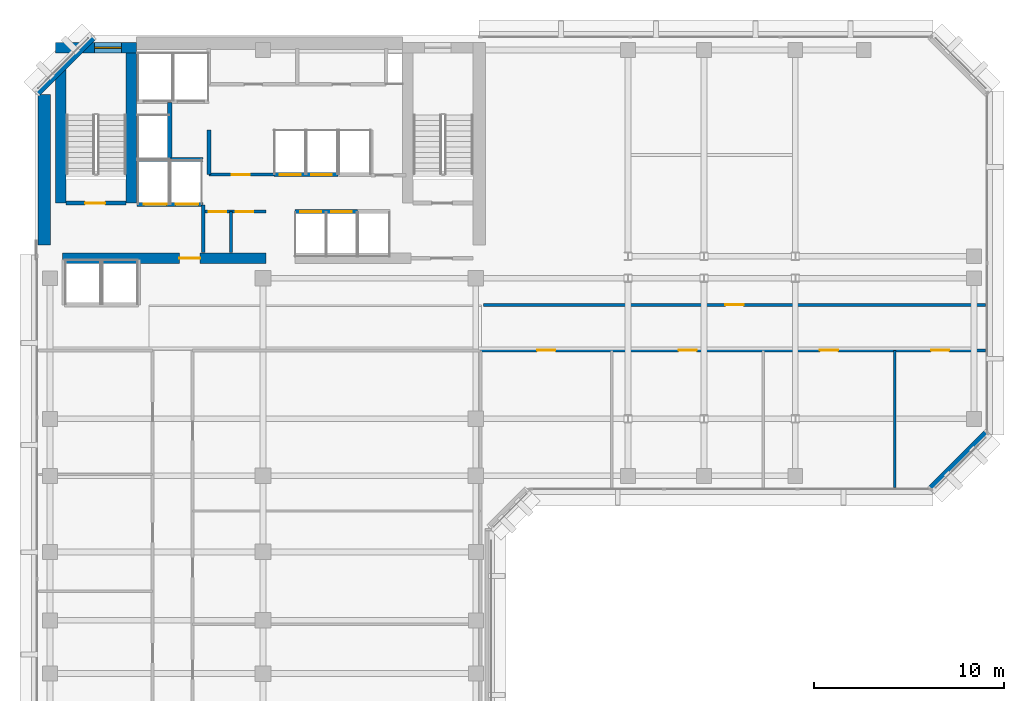
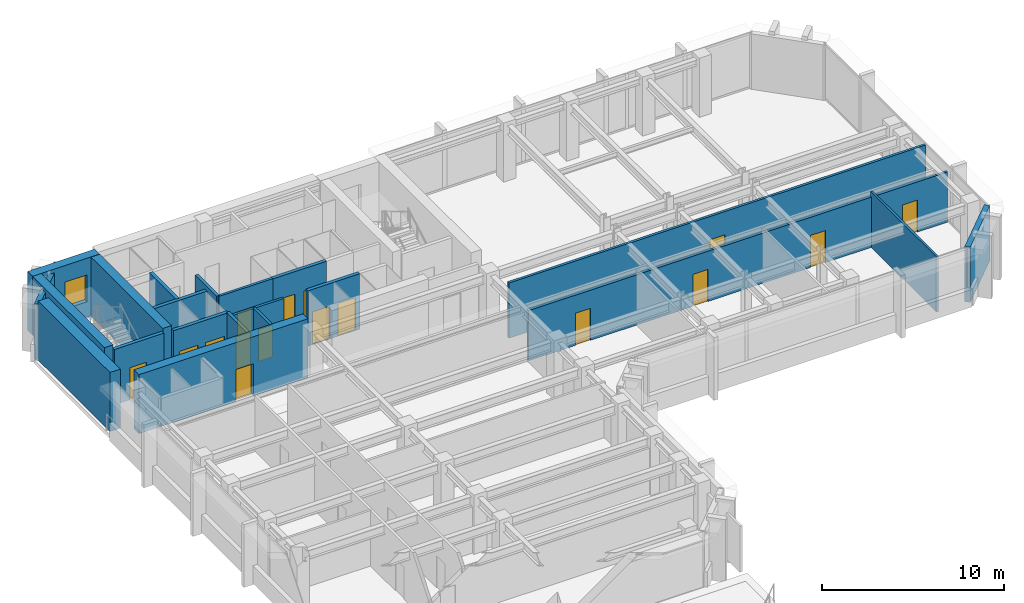
# One storey, part 7 of 11: 21 walls, 16 doors, 1 window, 17 openings.
"""IFC4 building model written with IfcOpenShell, lengths in metres."""

from ifc_helpers import new_model, si_unit, direction, frame, frame_2d, origin, place, context, subcontext, project, spatial, rectangle, extrude, material, layer, layer_set, type_object, element, fill, save


model = new_model("IFC4")

# Units and contexts
model_context = context("Model", 3, precision=1e-05, world=origin(), true_north=direction((0.0, 1.0)))
body_context = subcontext(model_context, "Body", "Model", "MODEL_VIEW")
ifc_project = project(units=[si_unit("LENGTHUNIT", "METRE"), si_unit("AREAUNIT", "SQUARE_METRE"), si_unit("VOLUMEUNIT", "CUBIC_METRE"), si_unit("PLANEANGLEUNIT", "RADIAN"), si_unit("MASSUNIT", "GRAM", prefix="KILO")], contexts=[model_context])

# Site, building, storey
site_placement = place(None, origin())
site = spatial("IfcSite", under=ifc_project, at=site_placement, CompositionType="ELEMENT")
building_placement = place(site_placement, origin())
building = spatial("IfcBuilding", under=site, at=building_placement, Name="Kefirva Bronze Tower", CompositionType="ELEMENT")
storey_placement = place(building_placement, frame((0.0, 0.0, 191.39990234375)))
storey = spatial("IfcBuildingStorey", under=building, at=storey_placement, Name="L46", CompositionType="ELEMENT", Elevation=191.39990234375)

# Wall
ifc_material_1 = material(Name="Gypsum acoustic partition")
ifc_layer_1 = layer(ifc_material_1, 0.1298828125, Name="Gypsum acoustic partition")
ifc_layer_set_1 = layer_set([ifc_layer_1], Name="Gypsum acoustic partition")
wall_type_1 = type_object("IfcWallType", Name="Acoustic Office Partition 130mm", PredefinedType="PARTITIONING", material=ifc_layer_set_1)
wall_1_placement = place(storey_placement, frame((45.229248046875, 22.18994140625, 0.0), z_axis=(0.0, 0.0, 1.0), x_axis=(0.0, 1.0, 0.0)))
element("IfcWall", 1, at=wall_1_placement, inside=storey, type_object=wall_type_1, Name="L46 Partition W-L46-ESD3", PredefinedType="PARTITIONING", context=body_context, shape_type="SweptSolid", body=[
    extrude(rectangle(XDim=7.2099609375, YDim=0.1298828125, at=frame_2d((3.60498046875, 0.0))), origin(), (0.0, 0.0, 1.0), 3.710205078125),
])

# Wall, opening, door
ifc_material_2 = material(Name="Gypsum fireboard shaftwall")
ifc_layer_2 = layer(ifc_material_2, 0.219970703125, Name="Gypsum fireboard shaftwall")
ifc_layer_set_2 = layer_set([ifc_layer_2], Name="Gypsum fireboard shaftwall")
wall_type_2 = type_object("IfcWallType", Name="Fire-Rated Shaft Enclosure Wall 220mm", PredefinedType="PARTITIONING", material=ifc_layer_set_2)
wall_2_placement = place(storey_placement, frame((1.64990234375, 37.14990234375, 0.0), z_axis=(0.0, 0.0, 1.0), x_axis=(1.0, 0.0, 0.0)))
wall_2 = element("IfcWall", 2, at=wall_2_placement, inside=storey, type_object=wall_type_2, Name="L46 Partition W-L46-ST1S", PredefinedType="PARTITIONING", context=body_context, shape_type="SweptSolid", body=[
    extrude(rectangle(XDim=3.150146484375, YDim=0.219970703125, at=frame_2d((1.5751953125, 0.0))), origin(), (0.0, 0.0, 1.0), 3.710205078125),
])
opening_1_placement = place(wall_2_placement, frame((2.050048828125, 0.0, 0.0), z_axis=(0.0, 0.0, 1.0), x_axis=(-1.0, 0.0, 0.0)))
opening_1 = element("IfcOpeningElement", 3, at=opening_1_placement, cuts=wall_2, Name="Opening L46-D001", PredefinedType="OPENING", context=body_context, shape_type="SweptSolid", body=[
    extrude(rectangle(XDim=1.050048828125, YDim=2.14990234375, at=frame_2d((0.52490234375, 1.074951171875))), frame((0.0, 0.1201171875, 0.0), z_axis=(0.0, -1.0, 0.0), x_axis=(1.0, 0.0, 0.0)), (0.0, 0.0, 1.0), 0.239990234375),
])
ifc_material_3 = material(Name="Painted galvanized steel", Category="steel")
door_type_1 = type_object("IfcDoorType", Name="Fire Stair Enclosure Door 1050x2150 FD90S", OperationType="NOTDEFINED", PredefinedType="DOOR", material=ifc_material_3)
door_1_placement = place(opening_1_placement, origin())
door_1 = element("IfcDoor", 4, at=door_1_placement, inside=storey, type_object=door_type_1, Name="Door L46-D001", OperationType="SINGLE_SWING_RIGHT", OverallHeight=2.14990234375, OverallWidth=1.050048828125, PredefinedType="DOOR", context=body_context, shape_type="SweptSolid", body=[
    extrude(rectangle(XDim=1.050048828125, YDim=2.14990234375, at=frame_2d((0.52490234375, 1.074951171875))), frame((0.0, 0.02490234375, 0.0), z_axis=(0.0, -1.0, 0.0), x_axis=(1.0, 0.0, 0.0)), (0.0, 0.0, 1.0), 0.050048828125),
])
fill(opening_1, door_1)

# Wall, openings, doors
wall_3_placement = place(storey_placement, frame((5.3798828125, 37.080078125, 0.0), z_axis=(0.0, 0.0, 1.0), x_axis=(1.0, 0.0, 0.0)))
wall_3 = element("IfcWall", 5, at=wall_3_placement, inside=storey, type_object=wall_type_2, Name="L46 Partition W-L46-FFS", PredefinedType="PARTITIONING", context=body_context, shape_type="SweptSolid", body=[
    extrude(rectangle(XDim=3.460205078125, YDim=0.219970703125, at=frame_2d((1.72998046875, 0.0))), origin(), (0.0, 0.0, 1.0), 3.710205078125),
])
opening_2_placement = place(wall_3_placement, frame((1.550048828125, 0.0, 0.0), z_axis=(0.0, 0.0, 1.0), x_axis=(-1.0, 0.0, 0.0)))
opening_2 = element("IfcOpeningElement", 6, at=opening_2_placement, cuts=wall_3, Name="Opening L46-LD-FF1", PredefinedType="OPENING", context=body_context, shape_type="SweptSolid", body=[
    extrude(rectangle(XDim=1.199951171875, YDim=2.199951171875, at=frame_2d((0.60009765625, 1.10009765625))), frame((0.0, 0.1201171875, 0.0), z_axis=(0.0, -1.0, 0.0), x_axis=(1.0, 0.0, 0.0)), (0.0, 0.0, 1.0), 0.239990234375),
])
opening_3_placement = place(wall_3_placement, frame((3.219970703125, 0.0, 0.0), z_axis=(0.0, 0.0, 1.0), x_axis=(-1.0, 0.0, 0.0)))
opening_3 = element("IfcOpeningElement", 7, at=opening_3_placement, cuts=wall_3, Name="Opening L46-LD-FF2", PredefinedType="OPENING", context=body_context, shape_type="SweptSolid", body=[
    extrude(rectangle(XDim=1.199951171875, YDim=2.199951171875, at=frame_2d((0.60009765625, 1.10009765625))), frame((0.0, 0.1201171875, 0.0), z_axis=(0.0, -1.0, 0.0), x_axis=(1.0, 0.0, 0.0)), (0.0, 0.0, 1.0), 0.239990234375),
])
ifc_material_4 = material(Name="Stainless steel 316", Category="steel")
door_type_2 = type_object("IfcDoorType", Name="Firefighting Lift Sliding Door 1200x2200", OperationType="SLIDING_TO_RIGHT", PredefinedType="DOOR", material=ifc_material_4)
door_2_placement = place(opening_2_placement, origin())
door_2 = element("IfcDoor", 8, at=door_2_placement, inside=storey, type_object=door_type_2, Name="Door L46-LD-FF1", OperationType="SLIDING_TO_RIGHT", OverallHeight=2.199951171875, OverallWidth=1.199951171875, PredefinedType="DOOR", context=body_context, shape_type="SweptSolid", body=[
    extrude(rectangle(XDim=1.199951171875, YDim=2.199951171875, at=frame_2d((0.60009765625, 1.10009765625))), frame((0.0, 0.02490234375, 0.0), z_axis=(0.0, -1.0, 0.0), x_axis=(1.0, 0.0, 0.0)), (0.0, 0.0, 1.0), 0.050048828125),
])
fill(opening_2, door_2)
door_3_placement = place(opening_3_placement, origin())
door_3 = element("IfcDoor", 9, at=door_3_placement, inside=storey, type_object=door_type_2, Name="Door L46-LD-FF2", OperationType="SLIDING_TO_RIGHT", OverallHeight=2.199951171875, OverallWidth=1.199951171875, PredefinedType="DOOR", context=body_context, shape_type="SweptSolid", body=[
    extrude(rectangle(XDim=1.199951171875, YDim=2.199951171875, at=frame_2d((0.60009765625, 1.10009765625))), frame((0.0, 0.02490234375, 0.0), z_axis=(0.0, -1.0, 0.0), x_axis=(1.0, 0.0, 0.0)), (0.0, 0.0, 1.0), 0.050048828125),
])
fill(opening_3, door_3)

# Walls
wall_4_placement = place(storey_placement, frame((5.3798828125, 39.449951171875, 0.0), z_axis=(0.0, 0.0, 1.0), x_axis=(1.0, 0.0, 0.0)))
element("IfcWall", 10, at=wall_4_placement, inside=storey, type_object=wall_type_2, Name="L46 Partition W-L46-FFN", PredefinedType="PARTITIONING", context=body_context, shape_type="SweptSolid", body=[
    extrude(rectangle(XDim=3.460205078125, YDim=0.219970703125, at=frame_2d((1.72998046875, 0.0))), origin(), (0.0, 0.0, 1.0), 3.710205078125),
])
wall_5_placement = place(storey_placement, frame((7.10009765625, 39.52001953125, 0.0), z_axis=(0.0, 0.0, 1.0), x_axis=(0.0, 1.0, 0.0)))
element("IfcWall", 11, at=wall_5_placement, inside=storey, type_object=wall_type_2, Name="L46 Partition W-L46-HP3E", PredefinedType="PARTITIONING", context=body_context, shape_type="SweptSolid", body=[
    extrude(rectangle(XDim=2.929931640625, YDim=0.219970703125, at=frame_2d((1.46484375, 0.0))), origin(), (0.0, 0.0, 1.0), 3.710205078125),
])
wall_6_placement = place(storey_placement, frame((9.159912109375, 38.64990234375, 0.0), z_axis=(0.0, 0.0, 1.0), x_axis=(0.0, 1.0, 0.0)))
element("IfcWall", 12, at=wall_6_placement, inside=storey, type_object=wall_type_2, Name="L46 Partition W-L46-LP3W", PredefinedType="PARTITIONING", context=body_context, shape_type="SweptSolid", body=[
    extrude(rectangle(XDim=2.35009765625, YDim=0.199951171875, at=frame_2d((1.175048828125, 0.0))), origin(), (0.0, 0.0, 1.0), 3.710205078125),
])

# Wall, openings, doors
wall_7_placement = place(storey_placement, frame((13.679931640625, 36.699951171875, 0.0), z_axis=(0.0, 0.0, 1.0), x_axis=(1.0, 0.0, 0.0)))
wall_7 = element("IfcWall", 13, at=wall_7_placement, inside=storey, type_object=wall_type_2, Name="L46 Partition W-L46-MPS", PredefinedType="PARTITIONING", context=body_context, shape_type="SweptSolid", body=[
    extrude(rectangle(XDim=3.280029296875, YDim=0.219970703125, at=frame_2d((1.64013671875, 0.0))), origin(), (0.0, 0.0, 1.0), 3.710205078125),
])
opening_4_placement = place(wall_7_placement, frame((0.280029296875, 0.0, 0.0)))
opening_4 = element("IfcOpeningElement", 14, at=opening_4_placement, cuts=wall_7, Name="Opening L46-LD-MP1", PredefinedType="OPENING", context=body_context, shape_type="SweptSolid", body=[
    extrude(rectangle(XDim=1.10009765625, YDim=2.199951171875, at=frame_2d((0.550048828125, 1.10009765625))), frame((0.0, 0.1201171875, 0.0), z_axis=(0.0, -1.0, 0.0), x_axis=(1.0, 0.0, 0.0)), (0.0, 0.0, 1.0), 0.239990234375),
])
opening_5_placement = place(wall_7_placement, frame((1.89990234375, 0.0, 0.0)))
opening_5 = element("IfcOpeningElement", 15, at=opening_5_placement, cuts=wall_7, Name="Opening L46-LD-MP2", PredefinedType="OPENING", context=body_context, shape_type="SweptSolid", body=[
    extrude(rectangle(XDim=1.10009765625, YDim=2.199951171875, at=frame_2d((0.550048828125, 1.10009765625))), frame((0.0, 0.1201171875, 0.0), z_axis=(0.0, -1.0, 0.0), x_axis=(1.0, 0.0, 0.0)), (0.0, 0.0, 1.0), 0.239990234375),
])
door_type_3 = type_object("IfcDoorType", Name="Passenger Lift Sliding Landing Door 1100x2200", OperationType="SLIDING_TO_LEFT", PredefinedType="DOOR", material=ifc_material_4)
door_4_placement = place(opening_4_placement, origin())
door_4 = element("IfcDoor", 16, at=door_4_placement, inside=storey, type_object=door_type_3, Name="Door L46-LD-MP1", OperationType="SLIDING_TO_RIGHT", OverallHeight=2.199951171875, OverallWidth=1.10009765625, PredefinedType="DOOR", context=body_context, shape_type="SweptSolid", body=[
    extrude(rectangle(XDim=1.10009765625, YDim=2.199951171875, at=frame_2d((0.550048828125, 1.10009765625))), frame((0.0, 0.02490234375, 0.0), z_axis=(0.0, -1.0, 0.0), x_axis=(1.0, 0.0, 0.0)), (0.0, 0.0, 1.0), 0.050048828125),
])
fill(opening_4, door_4)
door_5_placement = place(opening_5_placement, origin())
door_5 = element("IfcDoor", 17, at=door_5_placement, inside=storey, type_object=door_type_3, Name="Door L46-LD-MP2", OperationType="SLIDING_TO_RIGHT", OverallHeight=2.199951171875, OverallWidth=1.10009765625, PredefinedType="DOOR", context=body_context, shape_type="SweptSolid", body=[
    extrude(rectangle(XDim=1.10009765625, YDim=2.199951171875, at=frame_2d((0.550048828125, 1.10009765625))), frame((0.0, 0.02490234375, 0.0), z_axis=(0.0, -1.0, 0.0), x_axis=(1.0, 0.0, 0.0)), (0.0, 0.0, 1.0), 0.050048828125),
])
fill(opening_5, door_5)

wall_8_placement = place(storey_placement, frame((12.580078125, 38.64990234375, 0.0), z_axis=(0.0, 0.0, 1.0), x_axis=(1.0, 0.0, 0.0)))
wall_8 = element("IfcWall", 18, at=wall_8_placement, inside=storey, type_object=wall_type_2, Name="L46 Partition W-L46-MPN", PredefinedType="PARTITIONING", context=body_context, shape_type="SweptSolid", body=[
    extrude(rectangle(XDim=3.3798828125, YDim=0.219970703125, at=frame_2d((1.68994140625, 0.0))), origin(), (0.0, 0.0, 1.0), 3.710205078125),
])
opening_6_placement = place(wall_8_placement, frame((0.300048828125, 0.0, 0.0)))
opening_6 = element("IfcOpeningElement", 19, at=opening_6_placement, cuts=wall_8, Name="Opening L46-LD-MP3", PredefinedType="OPENING", context=body_context, shape_type="SweptSolid", body=[
    extrude(rectangle(XDim=1.10009765625, YDim=2.199951171875, at=frame_2d((0.550048828125, 1.10009765625))), frame((0.0, 0.1201171875, 0.0), z_axis=(0.0, -1.0, 0.0), x_axis=(1.0, 0.0, 0.0)), (0.0, 0.0, 1.0), 0.239990234375),
])
opening_7_placement = place(wall_8_placement, frame((1.949951171875, 0.0, 0.0)))
opening_7 = element("IfcOpeningElement", 20, at=opening_7_placement, cuts=wall_8, Name="Opening L46-LD-MP4", PredefinedType="OPENING", context=body_context, shape_type="SweptSolid", body=[
    extrude(rectangle(XDim=1.10009765625, YDim=2.199951171875, at=frame_2d((0.550048828125, 1.10009765625))), frame((0.0, 0.1201171875, 0.0), z_axis=(0.0, -1.0, 0.0), x_axis=(1.0, 0.0, 0.0)), (0.0, 0.0, 1.0), 0.239990234375),
])
door_6_placement = place(opening_6_placement, origin())
door_6 = element("IfcDoor", 21, at=door_6_placement, inside=storey, type_object=door_type_3, Name="Door L46-LD-MP3", OperationType="SLIDING_TO_RIGHT", OverallHeight=2.199951171875, OverallWidth=1.10009765625, PredefinedType="DOOR", context=body_context, shape_type="SweptSolid", body=[
    extrude(rectangle(XDim=1.10009765625, YDim=2.199951171875, at=frame_2d((0.550048828125, 1.10009765625))), frame((0.0, 0.02490234375, 0.0), z_axis=(0.0, -1.0, 0.0), x_axis=(1.0, 0.0, 0.0)), (0.0, 0.0, 1.0), 0.050048828125),
])
fill(opening_6, door_6)
door_7_placement = place(opening_7_placement, origin())
door_7 = element("IfcDoor", 22, at=door_7_placement, inside=storey, type_object=door_type_3, Name="Door L46-LD-MP4", OperationType="SLIDING_TO_RIGHT", OverallHeight=2.199951171875, OverallWidth=1.10009765625, PredefinedType="DOOR", context=body_context, shape_type="SweptSolid", body=[
    extrude(rectangle(XDim=1.10009765625, YDim=2.199951171875, at=frame_2d((0.550048828125, 1.10009765625))), frame((0.0, 0.02490234375, 0.0), z_axis=(0.0, -1.0, 0.0), x_axis=(1.0, 0.0, 0.0)), (0.0, 0.0, 1.0), 0.050048828125),
])
fill(opening_7, door_7)

# Walls
ifc_material_5 = material(Name="Gypsum fireboard barrier")
ifc_layer_3 = layer(ifc_material_5, 0.199951171875, Name="Gypsum fireboard barrier")
ifc_layer_set_3 = layer_set([ifc_layer_3], Name="Gypsum fireboard barrier")
wall_type_3 = type_object("IfcWallType", Name="Firefighting Lobby Barrier Wall 200mm", PredefinedType="PARTITIONING", material=ifc_layer_set_3)
wall_9_placement = place(storey_placement, frame((8.860107421875, 34.550048828125, 0.0), z_axis=(0.0, 0.0, 1.0), x_axis=(0.0, 1.0, 0.0)))
element("IfcWall", 23, at=wall_9_placement, inside=storey, type_object=wall_type_3, Name="L46 Partition W-L46-FFLE", PredefinedType="PARTITIONING", context=body_context, shape_type="SweptSolid", body=[
    extrude(rectangle(XDim=2.5, YDim=0.199951171875, at=frame_2d((1.25, 0.0))), origin(), (0.0, 0.0, 1.0), 3.710205078125),
])
ifc_material_6 = material(Name="Precast concrete C40/50", Category="concrete")
ifc_layer_4 = layer(ifc_material_6, 0.320068359375, Name="Precast concrete C40/50")
ifc_layer_set_4 = layer_set([ifc_layer_4], Name="Precast concrete C40/50")
wall_type_4 = type_object("IfcWallType", Name="Precast Insulated Exterior Wall 320mm", PredefinedType="SOLIDWALL", material=ifc_layer_set_4)
for number, where, z_axis, x_axis, name in (
    (24, (47.125732421875, 22.152099609375, 0.0), (0.0, 0.0, 1.0), (0.707136318428, 0.707077242712, 0.0), "L46 Exterior Facade Wall 5"),
    (25, (3.07421875, 45.847900390625, 0.0), (0.0, 0.0, 1.0), (-0.707106781187, -0.707106781187, 0.0), "L46 Exterior Facade Wall 7"),
):
    element("IfcWall", number, at=place(storey_placement, frame(where, z_axis=z_axis, x_axis=x_axis)), inside=storey, type_object=wall_type_4, Name=name, PredefinedType="SOLIDWALL", context=body_context, shape_type="SweptSolid", body=[
        extrude(rectangle(XDim=4.132568359375, YDim=0.320068359375, at=frame_2d((2.06640625, 0.0))), origin(), (0.0, 0.0, 1.0), 3.710205078125),
    ])

# Wall, openings, doors
ifc_layer_5 = layer(ifc_material_1, 0.159912109375, Name="Gypsum acoustic partition")
ifc_layer_set_5 = layer_set([ifc_layer_5], Name="Gypsum acoustic partition")
wall_type_5 = type_object("IfcWallType", Name="Protected Corridor Partition 160mm", PredefinedType="PARTITIONING", material=ifc_layer_set_5)
wall_10_placement = place(storey_placement, frame((8.89990234375, 36.699951171875, 0.0), z_axis=(0.0, 0.0, 1.0), x_axis=(1.0, 0.0, 0.0)))
wall_10 = element("IfcWall", 26, at=wall_10_placement, inside=storey, type_object=wall_type_5, Name="L46 Partition W-L46-RECLP1", PredefinedType="PARTITIONING", context=body_context, shape_type="SweptSolid", body=[
    extrude(rectangle(XDim=3.25, YDim=0.159912109375, at=frame_2d((1.625, 0.0))), origin(), (0.0, 0.0, 1.0), 3.710205078125),
])
opening_8_placement = place(wall_10_placement, frame((0.260009765625, 0.0, 0.0)))
opening_8 = element("IfcOpeningElement", 27, at=opening_8_placement, cuts=wall_10, Name="Opening L46-D-RECLP1A", PredefinedType="OPENING", context=body_context, shape_type="SweptSolid", body=[
    extrude(rectangle(XDim=0.89990234375, YDim=2.14990234375, at=frame_2d((0.449951171875, 1.074951171875))), frame((0.0, 0.08984375, 0.0), z_axis=(0.0, -1.0, 0.0), x_axis=(1.0, 0.0, 0.0)), (0.0, 0.0, 1.0), 0.179931640625),
])
opening_9_placement = place(wall_10_placement, frame((1.679931640625, 0.0, 0.0)))
opening_9 = element("IfcOpeningElement", 28, at=opening_9_placement, cuts=wall_10, Name="Opening L46-D-RECLP1B", PredefinedType="OPENING", context=body_context, shape_type="SweptSolid", body=[
    extrude(rectangle(XDim=0.89990234375, YDim=2.14990234375, at=frame_2d((0.449951171875, 1.074951171875))), frame((0.0, 0.08984375, 0.0), z_axis=(0.0, -1.0, 0.0), x_axis=(1.0, 0.0, 0.0)), (0.0, 0.0, 1.0), 0.179931640625),
])
door_type_4 = type_object("IfcDoorType", Name="Core Archive & Server Fire Door 900x2150 FD60S", OperationType="NOTDEFINED", PredefinedType="DOOR", material=ifc_material_3)
door_8_placement = place(opening_8_placement, origin())
door_8 = element("IfcDoor", 29, at=door_8_placement, inside=storey, type_object=door_type_4, Name="Door L46-D-RECLP1A", OperationType="SINGLE_SWING_LEFT", OverallHeight=2.14990234375, OverallWidth=0.89990234375, PredefinedType="DOOR", context=body_context, shape_type="SweptSolid", body=[
    extrude(rectangle(XDim=0.89990234375, YDim=2.14990234375, at=frame_2d((0.449951171875, 1.074951171875))), frame((0.0, 0.02490234375, 0.0), z_axis=(0.0, -1.0, 0.0), x_axis=(1.0, 0.0, 0.0)), (0.0, 0.0, 1.0), 0.050048828125),
])
fill(opening_8, door_8)
door_9_placement = place(opening_9_placement, origin())
door_9 = element("IfcDoor", 30, at=door_9_placement, inside=storey, type_object=door_type_4, Name="Door L46-D-RECLP1B", OperationType="SINGLE_SWING_RIGHT", OverallHeight=2.14990234375, OverallWidth=0.89990234375, PredefinedType="DOOR", context=body_context, shape_type="SweptSolid", body=[
    extrude(rectangle(XDim=0.89990234375, YDim=2.14990234375, at=frame_2d((0.449951171875, 1.074951171875))), frame((0.0, 0.02490234375, 0.0), z_axis=(0.0, -1.0, 0.0), x_axis=(1.0, 0.0, 0.0)), (0.0, 0.0, 1.0), 0.050048828125),
])
fill(opening_9, door_9)

# Wall
wall_11_placement = place(storey_placement, frame((10.320068359375, 34.550048828125, 0.0), z_axis=(0.0, 0.0, 1.0), x_axis=(0.0, 1.0, 0.0)))
element("IfcWall", 31, at=wall_11_placement, inside=storey, type_object=wall_type_5, Name="L46 Partition W-L46-RECLP1D", PredefinedType="PARTITIONING", context=body_context, shape_type="SweptSolid", body=[
    extrude(rectangle(XDim=2.14990234375, YDim=0.159912109375, at=frame_2d((1.074951171875, 0.0))), origin(), (0.0, 0.0, 1.0), 3.710205078125),
])

# Wall, opening, door
wall_12_placement = place(storey_placement, frame((9.159912109375, 38.64990234375, 0.0), z_axis=(0.0, 0.0, 1.0), x_axis=(1.0, 0.0, 0.0)))
wall_12 = element("IfcWall", 32, at=wall_12_placement, inside=storey, type_object=wall_type_5, Name="L46 Partition W-L46-RECLP2", PredefinedType="PARTITIONING", context=body_context, shape_type="SweptSolid", body=[
    extrude(rectangle(XDim=3.420166015625, YDim=0.159912109375, at=frame_2d((1.7099609375, 0.0))), origin(), (0.0, 0.0, 1.0), 3.710205078125),
])
opening_10_placement = place(wall_12_placement, frame((2.14990234375, 0.0, 0.0), z_axis=(0.0, 0.0, 1.0), x_axis=(-1.0, 0.0, 0.0)))
opening_10 = element("IfcOpeningElement", 33, at=opening_10_placement, cuts=wall_12, Name="Opening L46-D-RECLP2", PredefinedType="OPENING", context=body_context, shape_type="SweptSolid", body=[
    extrude(rectangle(XDim=0.949951171875, YDim=2.14990234375, at=frame_2d((0.47509765625, 1.074951171875))), frame((0.0, 0.08984375, 0.0), z_axis=(0.0, -1.0, 0.0), x_axis=(1.0, 0.0, 0.0)), (0.0, 0.0, 1.0), 0.179931640625),
])
ifc_material_7 = material(Name="Acoustic hardwood oak", Category="wood")
door_type_5 = type_object("IfcDoorType", Name="Office & Meeting Room Door 950x2150", OperationType="NOTDEFINED", PredefinedType="DOOR", material=ifc_material_7)
door_10_placement = place(opening_10_placement, origin())
door_10 = element("IfcDoor", 34, at=door_10_placement, inside=storey, type_object=door_type_5, Name="Door L46-D-RECLP2", OperationType="SINGLE_SWING_LEFT", OverallHeight=2.14990234375, OverallWidth=0.949951171875, PredefinedType="DOOR", context=body_context, shape_type="SweptSolid", body=[
    extrude(rectangle(XDim=0.949951171875, YDim=2.14990234375, at=frame_2d((0.47509765625, 1.074951171875))), frame((0.0, 0.02490234375, 0.0), z_axis=(0.0, -1.0, 0.0), x_axis=(1.0, 0.0, 0.0)), (0.0, 0.0, 1.0), 0.050048828125),
])
fill(opening_10, door_10)

# Wall, openings, doors
wall_13_placement = place(storey_placement, frame((23.449951171875, 29.39990234375, 0.0), z_axis=(0.0, 0.0, 1.0), x_axis=(1.0, 0.0, 0.0)))
wall_13 = element("IfcWall", 35, at=wall_13_placement, inside=storey, type_object=wall_type_5, Name="L46 Partition W-L46-EWS", PredefinedType="PARTITIONING", context=body_context, shape_type="SweptSolid", body=[
    extrude(rectangle(XDim=26.56005859375, YDim=0.159912109375, at=frame_2d((13.280029296875, 0.0))), origin(), (0.0, 0.0, 1.0), 3.364990234375),
])
opening_11_placement = place(wall_13_placement, frame((3.927734375, 0.0, 0.0), z_axis=(0.0, 0.0, 1.0), x_axis=(-1.0, 0.0, 0.0)))
opening_11 = element("IfcOpeningElement", 36, at=opening_11_placement, cuts=wall_13, Name="Opening L46-D-ES1", PredefinedType="OPENING", context=body_context, shape_type="SweptSolid", body=[
    extrude(rectangle(XDim=0.949951171875, YDim=2.14990234375, at=frame_2d((0.47509765625, 1.074951171875))), frame((0.0, 0.08984375, 0.0), z_axis=(0.0, -1.0, 0.0), x_axis=(1.0, 0.0, 0.0)), (0.0, 0.0, 1.0), 0.179931640625),
])
opening_12_placement = place(wall_13_placement, frame((11.364501953125, 0.0, 0.0), z_axis=(0.0, 0.0, 1.0), x_axis=(-1.0, 0.0, 0.0)))
opening_12 = element("IfcOpeningElement", 37, at=opening_12_placement, cuts=wall_13, Name="Opening L46-D-ES2", PredefinedType="OPENING", context=body_context, shape_type="SweptSolid", body=[
    extrude(rectangle(XDim=0.949951171875, YDim=2.14990234375, at=frame_2d((0.47509765625, 1.074951171875))), frame((0.0, 0.08984375, 0.0), z_axis=(0.0, -1.0, 0.0), x_axis=(1.0, 0.0, 0.0)), (0.0, 0.0, 1.0), 0.179931640625),
])
opening_13_placement = place(wall_13_placement, frame((18.80126953125, 0.0, 0.0), z_axis=(0.0, 0.0, 1.0), x_axis=(-1.0, 0.0, 0.0)))
opening_13 = element("IfcOpeningElement", 38, at=opening_13_placement, cuts=wall_13, Name="Opening L46-D-ES3", PredefinedType="OPENING", context=body_context, shape_type="SweptSolid", body=[
    extrude(rectangle(XDim=0.949951171875, YDim=2.14990234375, at=frame_2d((0.47509765625, 1.074951171875))), frame((0.0, 0.08984375, 0.0), z_axis=(0.0, -1.0, 0.0), x_axis=(1.0, 0.0, 0.0)), (0.0, 0.0, 1.0), 0.179931640625),
])
opening_14_placement = place(wall_13_placement, frame((24.64453125, 0.0, 0.0), z_axis=(0.0, 0.0, 1.0), x_axis=(-1.0, 0.0, 0.0)))
opening_14 = element("IfcOpeningElement", 39, at=opening_14_placement, cuts=wall_13, Name="Opening L46-D-ES4", PredefinedType="OPENING", context=body_context, shape_type="SweptSolid", body=[
    extrude(rectangle(XDim=0.949951171875, YDim=2.14990234375, at=frame_2d((0.47509765625, 1.074951171875))), frame((0.0, 0.08984375, 0.0), z_axis=(0.0, -1.0, 0.0), x_axis=(1.0, 0.0, 0.0)), (0.0, 0.0, 1.0), 0.179931640625),
])
door_11_placement = place(opening_11_placement, origin())
door_11 = element("IfcDoor", 40, at=door_11_placement, inside=storey, type_object=door_type_5, Name="Door L46-D-ES1", OperationType="SINGLE_SWING_LEFT", OverallHeight=2.14990234375, OverallWidth=0.949951171875, PredefinedType="DOOR", context=body_context, shape_type="SweptSolid", body=[
    extrude(rectangle(XDim=0.949951171875, YDim=2.14990234375, at=frame_2d((0.47509765625, 1.074951171875))), frame((0.0, 0.02490234375, 0.0), z_axis=(0.0, -1.0, 0.0), x_axis=(1.0, 0.0, 0.0)), (0.0, 0.0, 1.0), 0.050048828125),
])
fill(opening_11, door_11)
door_12_placement = place(opening_12_placement, origin())
door_12 = element("IfcDoor", 41, at=door_12_placement, inside=storey, type_object=door_type_5, Name="Door L46-D-ES2", OperationType="SINGLE_SWING_RIGHT", OverallHeight=2.14990234375, OverallWidth=0.949951171875, PredefinedType="DOOR", context=body_context, shape_type="SweptSolid", body=[
    extrude(rectangle(XDim=0.949951171875, YDim=2.14990234375, at=frame_2d((0.47509765625, 1.074951171875))), frame((0.0, 0.02490234375, 0.0), z_axis=(0.0, -1.0, 0.0), x_axis=(1.0, 0.0, 0.0)), (0.0, 0.0, 1.0), 0.050048828125),
])
fill(opening_12, door_12)
door_13_placement = place(opening_13_placement, origin())
door_13 = element("IfcDoor", 42, at=door_13_placement, inside=storey, type_object=door_type_5, Name="Door L46-D-ES3", OperationType="SINGLE_SWING_LEFT", OverallHeight=2.14990234375, OverallWidth=0.949951171875, PredefinedType="DOOR", context=body_context, shape_type="SweptSolid", body=[
    extrude(rectangle(XDim=0.949951171875, YDim=2.14990234375, at=frame_2d((0.47509765625, 1.074951171875))), frame((0.0, 0.02490234375, 0.0), z_axis=(0.0, -1.0, 0.0), x_axis=(1.0, 0.0, 0.0)), (0.0, 0.0, 1.0), 0.050048828125),
])
fill(opening_13, door_13)
door_14_placement = place(opening_14_placement, origin())
door_14 = element("IfcDoor", 43, at=door_14_placement, inside=storey, type_object=door_type_5, Name="Door L46-D-ES4", OperationType="SINGLE_SWING_RIGHT", OverallHeight=2.14990234375, OverallWidth=0.949951171875, PredefinedType="DOOR", context=body_context, shape_type="SweptSolid", body=[
    extrude(rectangle(XDim=0.949951171875, YDim=2.14990234375, at=frame_2d((0.47509765625, 1.074951171875))), frame((0.0, 0.02490234375, 0.0), z_axis=(0.0, -1.0, 0.0), x_axis=(1.0, 0.0, 0.0)), (0.0, 0.0, 1.0), 0.050048828125),
])
fill(opening_14, door_14)

# Wall, opening, door
wall_14_placement = place(storey_placement, frame((23.60009765625, 31.800048828125, 0.0), z_axis=(0.0, 0.0, 1.0), x_axis=(1.0, 0.0, 0.0)))
wall_14 = element("IfcWall", 44, at=wall_14_placement, inside=storey, type_object=wall_type_5, Name="L46 Partition W-L46-EWN", PredefinedType="PARTITIONING", context=body_context, shape_type="SweptSolid", body=[
    extrude(rectangle(XDim=26.409912109375, YDim=0.159912109375, at=frame_2d((13.205078125, 0.0))), origin(), (0.0, 0.0, 1.0), 3.710205078125),
])
opening_15_placement = place(wall_14_placement, frame((12.72998046875, 0.0, 0.0)))
opening_15 = element("IfcOpeningElement", 45, at=opening_15_placement, cuts=wall_14, Name="Opening L46-D-EN1", PredefinedType="OPENING", context=body_context, shape_type="SweptSolid", body=[
    extrude(rectangle(XDim=0.949951171875, YDim=2.14990234375, at=frame_2d((0.47509765625, 1.074951171875))), frame((0.0, 0.08984375, 0.0), z_axis=(0.0, -1.0, 0.0), x_axis=(1.0, 0.0, 0.0)), (0.0, 0.0, 1.0), 0.179931640625),
])
door_15_placement = place(opening_15_placement, origin())
door_15 = element("IfcDoor", 46, at=door_15_placement, inside=storey, type_object=door_type_5, Name="Door L46-D-EN1", OperationType="SINGLE_SWING_LEFT", OverallHeight=2.14990234375, OverallWidth=0.949951171875, PredefinedType="DOOR", context=body_context, shape_type="SweptSolid", body=[
    extrude(rectangle(XDim=0.949951171875, YDim=2.14990234375, at=frame_2d((0.47509765625, 1.074951171875))), frame((0.0, 0.02490234375, 0.0), z_axis=(0.0, -1.0, 0.0), x_axis=(1.0, 0.0, 0.0)), (0.0, 0.0, 1.0), 0.050048828125),
])
fill(opening_15, door_15)

# Wall, opening, window
ifc_material_8 = material(Name="Concrete C50/60", Category="concrete")
ifc_layer_6 = layer(ifc_material_8, 0.550048828125, Name="Concrete C50/60")
ifc_layer_set_6 = layer_set([ifc_layer_6], Name="Concrete C50/60")
wall_type_6 = type_object("IfcWallType", Name="RC Rear Core Exterior Wall 550mm", PredefinedType="SHEAR", material=ifc_layer_set_6)
wall_15_placement = place(storey_placement, frame((1.10009765625, 45.320068359375, 0.0), z_axis=(0.0, 0.0, 1.0), x_axis=(1.0, 0.0, 0.0)))
wall_15 = element("IfcWall", 47, at=wall_15_placement, inside=storey, type_object=wall_type_6, Name="L46 Stair 1 North Shear Wall", PredefinedType="SHEAR", context=body_context, shape_type="SweptSolid", body=[
    extrude(rectangle(XDim=4.239990234375, YDim=0.550048828125, at=frame_2d((2.1201171875, 0.0))), origin(), (0.0, 0.0, 1.0), 3.960205078125),
])
opening_16_placement = place(wall_15_placement, frame((2.050048828125, 0.0, 1.050048828125)))
opening_16 = element("IfcOpeningElement", 48, at=opening_16_placement, cuts=wall_15, Name="Opening WN-03", PredefinedType="OPENING", context=body_context, shape_type="SweptSolid", body=[
    extrude(rectangle(XDim=1.39990234375, YDim=1.800048828125, at=frame_2d((0.699951171875, 0.89990234375))), frame((0.0, 0.28515625, 0.0), z_axis=(0.0, -1.0, 0.0), x_axis=(1.0, 0.0, 0.0)), (0.0, 0.0, 1.0), 0.570068359375),
])
ifc_material_9 = material(Name="Laminated low-E double glazing", Category="glass")
window_type = type_object("IfcWindowType", Name="Rear-Core Stair Daylight Window 1400x1800", PartitioningType="SINGLE_PANEL", PredefinedType="WINDOW", material=ifc_material_9)
window_placement = place(opening_16_placement, origin())
window = element("IfcWindow", 49, at=window_placement, inside=storey, type_object=window_type, Name="L46 Stair 1 Daylight Window", OverallHeight=1.800048828125, OverallWidth=1.39990234375, PartitioningType="SINGLE_PANEL", PredefinedType="WINDOW", context=body_context, shape_type="SweptSolid", body=[
    extrude(rectangle(XDim=1.39990234375, YDim=1.800048828125, at=frame_2d((0.699951171875, 0.89990234375))), frame((0.0, 0.030029296875, 0.0), z_axis=(0.0, -1.0, 0.0), x_axis=(1.0, 0.0, 0.0)), (0.0, 0.0, 1.0), 0.06005859375),
])
fill(opening_16, window)

# Walls
ifc_layer_7 = layer(ifc_material_8, 0.64990234375, Name="Concrete C50/60")
ifc_layer_set_7 = layer_set([ifc_layer_7], Name="Concrete C50/60")
wall_type_7 = type_object("IfcWallType", Name="RC Rear Core Exterior Wall 650mm", PredefinedType="SHEAR", material=ifc_layer_set_7)
wall_16_placement = place(storey_placement, frame((0.5, 34.949951171875, 0.0), z_axis=(0.0, 0.0, 1.0), x_axis=(0.0, 1.0, 0.0)))
element("IfcWall", 50, at=wall_16_placement, inside=storey, type_object=wall_type_7, Name="L46 Rear Core West Shear Wall", PredefinedType="SHEAR", context=body_context, shape_type="SweptSolid", body=[
    extrude(rectangle(XDim=7.900146484375, YDim=0.64990234375, at=frame_2d((3.9501953125, 0.0))), origin(), (0.0, 0.0, 1.0), 3.960205078125),
])
ifc_layer_8 = layer(ifc_material_8, 0.550048828125, Name="Concrete C50/60")
ifc_layer_set_8 = layer_set([ifc_layer_8], Name="Concrete C50/60")
wall_type_8 = type_object("IfcWallType", Name="RC Rear Core Interior Wall 550mm", PredefinedType="SHEAR", material=ifc_layer_set_8)
for number, where, z_axis, x_axis, name in (
    (51, (1.3701171875, 37.14990234375, 0.0), (0.0, 0.0, 1.0), (0.0, 1.0, 0.0), "L46 Stair 1 West Shear Wall"),
    (52, (5.070068359375, 37.14990234375, 0.0), (0.0, 0.0, 1.0), (0.0, 1.0, 0.0), "L46 Stair 1 East Shear Wall"),
):
    element("IfcWall", number, at=place(storey_placement, frame(where, z_axis=z_axis, x_axis=x_axis)), inside=storey, type_object=wall_type_8, Name=name, PredefinedType="SHEAR", context=body_context, shape_type="SweptSolid", body=[
        extrude(rectangle(XDim=7.89013671875, YDim=0.550048828125, at=frame_2d((3.945068359375, 0.0))), origin(), (0.0, 0.0, 1.0), 3.960205078125),
    ])

# Wall, opening, door
ifc_layer_9 = layer(ifc_material_8, 0.64990234375, Name="Concrete C50/60")
ifc_layer_set_9 = layer_set([ifc_layer_9], Name="Concrete C50/60")
wall_type_9 = type_object("IfcWallType", Name="RC Rear Core Interior Wall 650mm", PredefinedType="SHEAR", material=ifc_layer_set_9)
wall_17_placement = place(storey_placement, frame((1.449951171875, 34.25, 0.0), z_axis=(0.0, 0.0, 1.0), x_axis=(1.0, 0.0, 0.0)))
wall_17 = element("IfcWall", 53, at=wall_17_placement, inside=storey, type_object=wall_type_9, Name="L46 Rear Core South-West Shear Wall", PredefinedType="SHEAR", context=body_context, shape_type="SweptSolid", body=[
    extrude(rectangle(XDim=10.7099609375, YDim=0.550048828125, at=frame_2d((5.35498046875, 0.0))), origin(), (0.0, 0.0, 1.0), 3.960205078125),
])
opening_17_placement = place(wall_17_placement, frame((7.25, 0.0, 0.0), z_axis=(0.0, 0.0, 1.0), x_axis=(-1.0, 0.0, 0.0)))
opening_17 = element("IfcOpeningElement", 54, at=opening_17_placement, cuts=wall_17, Name="Opening L46-D002", PredefinedType="OPENING", context=body_context, shape_type="SweptSolid", body=[
    extrude(rectangle(XDim=1.10009765625, YDim=2.14990234375, at=frame_2d((0.550048828125, 1.074951171875))), frame((0.0, 0.28515625, 0.0), z_axis=(0.0, -1.0, 0.0), x_axis=(1.0, 0.0, 0.0)), (0.0, 0.0, 1.0), 0.570068359375),
])
door_type_6 = type_object("IfcDoorType", Name="Firefighting Lobby Smoke Door 1100x2150 FD60S", OperationType="NOTDEFINED", PredefinedType="DOOR", material=ifc_material_3)
door_16_placement = place(opening_17_placement, origin())
door_16 = element("IfcDoor", 55, at=door_16_placement, inside=storey, type_object=door_type_6, Name="Door L46-D002", OperationType="SINGLE_SWING_LEFT", OverallHeight=2.14990234375, OverallWidth=1.10009765625, PredefinedType="DOOR", context=body_context, shape_type="SweptSolid", body=[
    extrude(rectangle(XDim=1.10009765625, YDim=2.14990234375, at=frame_2d((0.550048828125, 1.074951171875))), frame((0.0, 0.02490234375, 0.0), z_axis=(0.0, -1.0, 0.0), x_axis=(1.0, 0.0, 0.0)), (0.0, 0.0, 1.0), 0.050048828125),
])
fill(opening_17, door_16)

save(model, "model.ifc")
